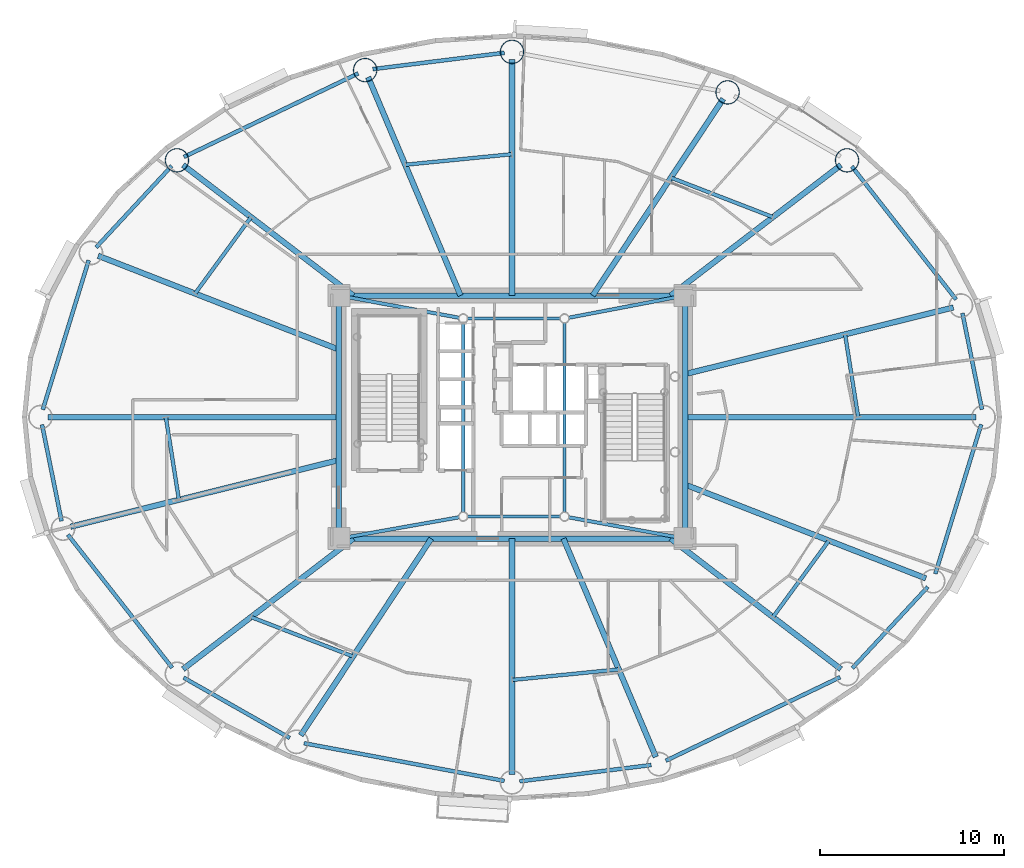
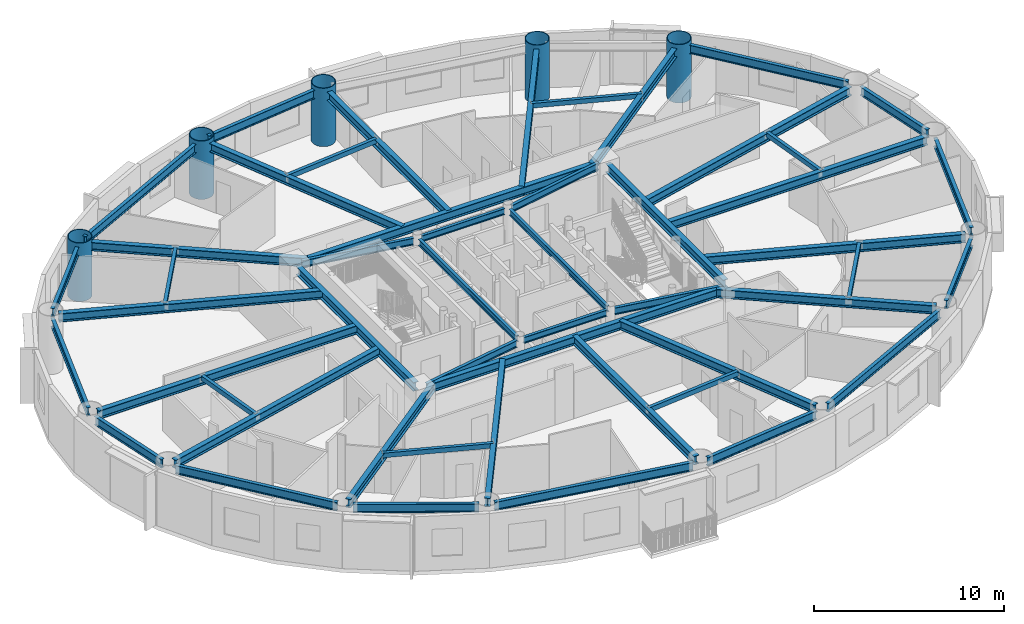
# One storey, part 3 of 19: 50 beams, 5 columns.
"""IFC4 building model written with IfcOpenShell, lengths in metres."""

from ifc_helpers import new_model, si_unit, direction, frame, origin, origin_2d, place, context, subcontext, project, spatial, hollow_rectangle, hollow_circle, i_section, extrude, material, material_profile, profile_set, type_object, element, save


model = new_model("IFC4")

# Units and contexts
model_context = context("Model", 3, precision=1e-05, world=origin(), true_north=direction((0.0, 1.0)))
body_context = subcontext(model_context, "Body", "Model", "MODEL_VIEW")
ifc_project = project(units=[si_unit("LENGTHUNIT", "METRE"), si_unit("AREAUNIT", "SQUARE_METRE"), si_unit("VOLUMEUNIT", "CUBIC_METRE"), si_unit("PLANEANGLEUNIT", "RADIAN"), si_unit("MASSUNIT", "GRAM", prefix="KILO")], contexts=[model_context])

# Site, building, storey
site_placement = place(None, origin())
site = spatial("IfcSite", under=ifc_project, at=site_placement, CompositionType="ELEMENT")
building_placement = place(site_placement, origin())
building = spatial("IfcBuilding", under=site, at=building_placement, Name="Linh Dai School and Residence Tower", CompositionType="ELEMENT")
storey_placement = place(building_placement, frame((0.0, 0.0, 193.64990234375)))
storey = spatial("IfcBuildingStorey", under=building, at=storey_placement, Name="L47", CompositionType="ELEMENT", Elevation=193.64990234375)

# Columns
ifc_material = material(Name="Structural Steel S355JR", Category="steel")
ifc_material_profile_1 = material_profile(ifc_material, hollow_circle(Radius=0.64990234375, WallThickness=0.0400390625, at=origin_2d()), Name="CHS 1300x40")
ifc_profile_set_1 = profile_set([ifc_material_profile_1], Name="Structural Steel S355JR")
column_type = type_object("IfcColumnType", Name="COL-MC4", PredefinedType="COLUMN", material=ifc_profile_set_1)
for number, where, z_axis, x_axis, name in (
    (1, (54.1923828125, 40.941650390625, 0.0), (0.0, 0.0, 1.0), (1.0, 0.0, 0.0), "L47 Perimeter CFT Mega-Column MC03"),
    (2, (47.70556640625, 44.630859375, 0.0), (0.0, 0.0, 1.0), (1.0, 0.0, 0.0), "L47 Perimeter CFT Mega-Column MC04"),
    (3, (36.0, 46.830078125, 0.0), (0.0, 0.0, 1.0), (1.0, 0.0, 0.0), "L47 Perimeter CFT Mega-Column MC05"),
    (4, (28.026611328125, 45.84130859375, 0.0), (0.0, 0.0, 1.0), (1.0, 0.0, 0.0), "L47 Perimeter CFT Mega-Column MC06"),
    (5, (17.8076171875, 40.941650390625, 0.0), (0.0, 0.0, 1.0), (1.0, 0.0, 0.0), "L47 Perimeter CFT Mega-Column MC07"),
):
    element("IfcColumn", number, at=place(storey_placement, frame(where, z_axis=z_axis, x_axis=x_axis)), inside=storey, type_object=column_type, Name=name, PredefinedType="COLUMN", context=body_context, shape_type="SweptSolid", body=[
        extrude(hollow_circle(Radius=0.64990234375, WallThickness=0.0400390625, at=origin_2d()), origin(), (0.0, 0.0, 1.0), 3.75),
    ])

# Beams
ifc_material_profile_2 = material_profile(ifc_material, hollow_rectangle(XDim=0.199951171875, YDim=0.300048828125, WallThickness=0.010009765625, at=origin_2d()), Name="RHS 300x200x10")
ifc_profile_set_2 = profile_set([ifc_material_profile_2], Name="Structural Steel S355JR")
beam_type_1 = type_object("IfcBeamType", Name="BM-BX3", PredefinedType="BEAM", material=ifc_profile_set_2)
beam_1_placement = place(storey_placement, frame((54.795166015625, 27.0048828125, 3.35009765625), z_axis=(-0.15630517468, 0.987708809502, 0.0), x_axis=(-0.987708809502, -0.15630517468, 0.0)))
element("IfcBeam", 6, at=beam_1_placement, inside=storey, type_object=beam_type_1, Name="L47 Secondary Circumferential Floor Beam 01", PredefinedType="BEAM", context=body_context, shape_type="SweptSolid", body=[
    extrude(hollow_rectangle(XDim=0.199951171875, YDim=0.300048828125, WallThickness=0.010009765625, at=origin_2d()), origin(), (0.0, 0.0, 1.0), 4.537353515625),
])
beam_2_placement = place(storey_placement, frame((50.1640625, 37.860107421875, 3.35009765625), z_axis=(-0.932827710026, 0.360322721193, 0.0), x_axis=(-0.360322721193, -0.932827710026, 0.0)))
element("IfcBeam", 7, at=beam_2_placement, inside=storey, type_object=beam_type_1, Name="L47 Secondary Circumferential Floor Beam 02", PredefinedType="BEAM", context=body_context, shape_type="SweptSolid", body=[
    extrude(hollow_rectangle(XDim=0.199951171875, YDim=0.300048828125, WallThickness=0.010009765625, at=origin_2d()), origin(), (0.0, 0.0, 1.0), 5.927978515625),
])
beam_3_placement = place(storey_placement, frame((35.9951171875, 41.27294921875, 3.35009765625), z_axis=(-0.995143022353, -0.098439651878, 0.0), x_axis=(0.098439651878, -0.995143022353, 0.0)))
element("IfcBeam", 8, at=beam_3_placement, inside=storey, type_object=beam_type_1, Name="L47 Secondary Circumferential Floor Beam 03", PredefinedType="BEAM", context=body_context, shape_type="SweptSolid", body=[
    extrude(hollow_rectangle(XDim=0.199951171875, YDim=0.300048828125, WallThickness=0.010009765625, at=origin_2d()), origin(), (0.0, 0.0, 1.0), 5.81591796875),
])
beam_4_placement = place(storey_placement, frame((21.828125, 37.854248046875, 3.35009765625), z_axis=(-0.59077809598, -0.806834085367, 0.0), x_axis=(0.806834085367, -0.59077809598, 0.0)))
element("IfcBeam", 9, at=beam_4_placement, inside=storey, type_object=beam_type_1, Name="L47 Secondary Circumferential Floor Beam 04", PredefinedType="BEAM", context=body_context, shape_type="SweptSolid", body=[
    extrude(hollow_rectangle(XDim=0.199951171875, YDim=0.300048828125, WallThickness=0.010009765625, at=origin_2d()), origin(), (0.0, 0.0, 1.0), 5.134765625),
])
beam_5_placement = place(storey_placement, frame((17.204833984375, 26.9951171875, 3.35009765625), z_axis=(0.15630517468, -0.987708809502, 0.0), x_axis=(0.987708809502, 0.15630517468, 0.0)))
element("IfcBeam", 10, at=beam_5_placement, inside=storey, type_object=beam_type_1, Name="L47 Secondary Circumferential Floor Beam 05", PredefinedType="BEAM", context=body_context, shape_type="SweptSolid", body=[
    extrude(hollow_rectangle(XDim=0.199951171875, YDim=0.300048828125, WallThickness=0.010009765625, at=origin_2d()), origin(), (0.0, 0.0, 1.0), 4.537353515625),
])
beam_6_placement = place(storey_placement, frame((21.8359375, 16.139892578125, 3.35009765625), z_axis=(0.932827710026, -0.360322721193, 0.0), x_axis=(0.360322721193, 0.932827710026, 0.0)))
element("IfcBeam", 11, at=beam_6_placement, inside=storey, type_object=beam_type_1, Name="L47 Secondary Circumferential Floor Beam 06", PredefinedType="BEAM", context=body_context, shape_type="SweptSolid", body=[
    extrude(hollow_rectangle(XDim=0.199951171875, YDim=0.300048828125, WallThickness=0.010009765625, at=origin_2d()), origin(), (0.0, 0.0, 1.0), 5.927978515625),
])
beam_7_placement = place(storey_placement, frame((36.0048828125, 12.72705078125, 3.35009765625), z_axis=(0.995143022353, 0.098439651878, 0.0), x_axis=(-0.098439651878, 0.995143022353, 0.0)))
element("IfcBeam", 12, at=beam_7_placement, inside=storey, type_object=beam_type_1, Name="L47 Secondary Circumferential Floor Beam 07", PredefinedType="BEAM", context=body_context, shape_type="SweptSolid", body=[
    extrude(hollow_rectangle(XDim=0.199951171875, YDim=0.300048828125, WallThickness=0.010009765625, at=origin_2d()), origin(), (0.0, 0.0, 1.0), 5.81591796875),
])
beam_8_placement = place(storey_placement, frame((50.171875, 16.145751953125, 3.35009765625), z_axis=(0.59077809598, 0.806834085367, 0.0), x_axis=(-0.806834085367, 0.59077809598, 0.0)))
element("IfcBeam", 13, at=beam_8_placement, inside=storey, type_object=beam_type_1, Name="L47 Secondary Circumferential Floor Beam 08", PredefinedType="BEAM", context=body_context, shape_type="SweptSolid", body=[
    extrude(hollow_rectangle(XDim=0.199951171875, YDim=0.300048828125, WallThickness=0.010009765625, at=origin_2d()), origin(), (0.0, 0.0, 1.0), 5.134765625),
])
ifc_material_profile_3 = material_profile(ifc_material, i_section(OverallWidth=0.2099609375, OverallDepth=0.550048828125, WebThickness=0.010986328125, FlangeThickness=0.01708984375, FilletRadius=0.02392578125, at=origin_2d()), Name="IPE 550")
ifc_profile_set_3 = profile_set([ifc_material_profile_3], Name="Structural Steel S355JR")
beam_type_2 = type_object("IfcBeamType", Name="BM-RB55", PredefinedType="BEAM", material=ifc_profile_set_3)
beam_9_placement = place(storey_placement, frame((61.5166015625, 27.41162109375, 3.22509765625), z_axis=(-0.198420723955, 0.980116940117, 0.0), x_axis=(-0.980116940117, -0.198420723955, 0.0)))
element("IfcBeam", 14, at=beam_9_placement, inside=storey, type_object=beam_type_2, Name="L47 Perimeter Elliptical Ring Beam 01", PredefinedType="BEAM", context=body_context, shape_type="SweptSolid", body=[
    extrude(i_section(OverallWidth=0.2099609375, OverallDepth=0.550048828125, WebThickness=0.010986328125, FlangeThickness=0.01708984375, FilletRadius=0.02392578125, at=origin_2d()), origin(), (0.0, 0.0, 1.0), 5.33642578125),
])
beam_10_placement = place(storey_placement, frame((60.115478515625, 33.38427734375, 3.22509765625), z_axis=(-0.616852281883, 0.787078942887, 0.0), x_axis=(-0.787078942887, -0.616852281883, 0.0)))
element("IfcBeam", 15, at=beam_10_placement, inside=storey, type_object=beam_type_2, Name="L47 Perimeter Elliptical Ring Beam 02", PredefinedType="BEAM", context=body_context, shape_type="SweptSolid", body=[
    extrude(i_section(OverallWidth=0.2099609375, OverallDepth=0.550048828125, WebThickness=0.010986328125, FlangeThickness=0.01708984375, FilletRadius=0.02392578125, at=origin_2d()), origin(), (0.0, 0.0, 1.0), 9.181884765625),
])
beam_11_placement = place(storey_placement, frame((35.583251953125, 46.7783203125, 3.22509765625), z_axis=(-0.992400597975, -0.123048986741, 0.0), x_axis=(0.123048986741, -0.992400597975, 0.0)))
element("IfcBeam", 16, at=beam_11_placement, inside=storey, type_object=beam_type_2, Name="L47 Perimeter Elliptical Ring Beam 05", PredefinedType="BEAM", context=body_context, shape_type="SweptSolid", body=[
    extrude(i_section(OverallWidth=0.2099609375, OverallDepth=0.550048828125, WebThickness=0.010986328125, FlangeThickness=0.01708984375, FilletRadius=0.02392578125, at=origin_2d()), origin(), (0.0, 0.0, 1.0), 7.1943359375),
])
beam_12_placement = place(storey_placement, frame((27.64794921875, 45.659912109375, 3.22509765625), z_axis=(-0.901708141823, -0.432345263614, 0.0), x_axis=(0.432345263614, -0.901708141823, 0.0)))
element("IfcBeam", 17, at=beam_12_placement, inside=storey, type_object=beam_type_2, Name="L47 Perimeter Elliptical Ring Beam 06", PredefinedType="BEAM", context=body_context, shape_type="SweptSolid", body=[
    extrude(i_section(OverallWidth=0.2099609375, OverallDepth=0.550048828125, WebThickness=0.010986328125, FlangeThickness=0.01708984375, FilletRadius=0.02392578125, at=origin_2d()), origin(), (0.0, 0.0, 1.0), 10.4931640625),
])
beam_13_placement = place(storey_placement, frame((17.521728515625, 40.6337890625, 3.22509765625), z_axis=(-0.680378035197, -0.732861330145, 0.0), x_axis=(0.732861330145, -0.680378035197, 0.0)))
element("IfcBeam", 18, at=beam_13_placement, inside=storey, type_object=beam_type_2, Name="L47 Perimeter Elliptical Ring Beam 07", PredefinedType="BEAM", context=body_context, shape_type="SweptSolid", body=[
    extrude(i_section(OverallWidth=0.2099609375, OverallDepth=0.550048828125, WebThickness=0.010986328125, FlangeThickness=0.01708984375, FilletRadius=0.02392578125, at=origin_2d()), origin(), (0.0, 0.0, 1.0), 6.024169921875),
])
beam_14_placement = place(storey_placement, frame((13.01416015625, 35.509765625, 3.22509765625), z_axis=(-0.29363681283, -0.955917058196, 0.0), x_axis=(0.955917058196, -0.29363681283, 0.0)))
element("IfcBeam", 19, at=beam_14_placement, inside=storey, type_object=beam_type_2, Name="L47 Perimeter Elliptical Ring Beam 08", PredefinedType="BEAM", context=body_context, shape_type="SweptSolid", body=[
    extrude(i_section(OverallWidth=0.2099609375, OverallDepth=0.550048828125, WebThickness=0.010986328125, FlangeThickness=0.01708984375, FilletRadius=0.02392578125, at=origin_2d()), origin(), (0.0, 0.0, 1.0), 8.482421875),
])
beam_15_placement = place(storey_placement, frame((10.4833984375, 26.58837890625, 3.22509765625), z_axis=(0.198420723955, -0.980116940117, 0.0), x_axis=(0.980116940117, 0.198420723955, 0.0)))
element("IfcBeam", 20, at=beam_15_placement, inside=storey, type_object=beam_type_2, Name="L47 Perimeter Elliptical Ring Beam 09", PredefinedType="BEAM", context=body_context, shape_type="SweptSolid", body=[
    extrude(i_section(OverallWidth=0.2099609375, OverallDepth=0.550048828125, WebThickness=0.010986328125, FlangeThickness=0.01708984375, FilletRadius=0.02392578125, at=origin_2d()), origin(), (0.0, 0.0, 1.0), 5.33642578125),
])
beam_16_placement = place(storey_placement, frame((11.884521484375, 20.61572265625, 3.22509765625), z_axis=(0.616852281883, -0.787078942887, 0.0), x_axis=(0.787078942887, 0.616852281883, 0.0)))
element("IfcBeam", 21, at=beam_16_placement, inside=storey, type_object=beam_type_2, Name="L47 Perimeter Elliptical Ring Beam 10", PredefinedType="BEAM", context=body_context, shape_type="SweptSolid", body=[
    extrude(i_section(OverallWidth=0.2099609375, OverallDepth=0.550048828125, WebThickness=0.010986328125, FlangeThickness=0.01708984375, FilletRadius=0.02392578125, at=origin_2d()), origin(), (0.0, 0.0, 1.0), 9.181884765625),
])
beam_17_placement = place(storey_placement, frame((18.172607421875, 12.8505859375, 3.22509765625), z_axis=(0.869262164011, -0.49435138335, 0.0), x_axis=(0.49435138335, 0.869262164011, 0.0)))
element("IfcBeam", 22, at=beam_17_placement, inside=storey, type_object=beam_type_2, Name="L47 Perimeter Elliptical Ring Beam 11", PredefinedType="BEAM", context=body_context, shape_type="SweptSolid", body=[
    extrude(i_section(OverallWidth=0.2099609375, OverallDepth=0.550048828125, WebThickness=0.010986328125, FlangeThickness=0.01708984375, FilletRadius=0.02392578125, at=origin_2d()), origin(), (0.0, 0.0, 1.0), 6.62255859375),
])
beam_18_placement = place(storey_placement, frame((24.707275390625, 9.29150390625, 3.22509765625), z_axis=(0.98280721278, -0.184634727255, 0.0), x_axis=(0.184634727255, 0.98280721278, 0.0)))
element("IfcBeam", 23, at=beam_18_placement, inside=storey, type_object=beam_type_2, Name="L47 Perimeter Elliptical Ring Beam 12", PredefinedType="BEAM", context=body_context, shape_type="SweptSolid", body=[
    extrude(i_section(OverallWidth=0.2099609375, OverallDepth=0.550048828125, WebThickness=0.010986328125, FlangeThickness=0.01708984375, FilletRadius=0.02392578125, at=origin_2d()), origin(), (0.0, 0.0, 1.0), 11.0703125),
])
beam_19_placement = place(storey_placement, frame((36.416748046875, 7.2216796875, 3.22509765625), z_axis=(0.992400597975, 0.123048986741, 0.0), x_axis=(-0.123048986741, 0.992400597975, 0.0)))
element("IfcBeam", 24, at=beam_19_placement, inside=storey, type_object=beam_type_2, Name="L47 Perimeter Elliptical Ring Beam 13", PredefinedType="BEAM", context=body_context, shape_type="SweptSolid", body=[
    extrude(i_section(OverallWidth=0.2099609375, OverallDepth=0.550048828125, WebThickness=0.010986328125, FlangeThickness=0.01708984375, FilletRadius=0.02392578125, at=origin_2d()), origin(), (0.0, 0.0, 1.0), 7.1943359375),
])
beam_20_placement = place(storey_placement, frame((44.35205078125, 8.340087890625, 3.22509765625), z_axis=(0.901708141823, 0.432345263614, 0.0), x_axis=(-0.432345263614, 0.901708141823, 0.0)))
element("IfcBeam", 25, at=beam_20_placement, inside=storey, type_object=beam_type_2, Name="L47 Perimeter Elliptical Ring Beam 14", PredefinedType="BEAM", context=body_context, shape_type="SweptSolid", body=[
    extrude(i_section(OverallWidth=0.2099609375, OverallDepth=0.550048828125, WebThickness=0.010986328125, FlangeThickness=0.01708984375, FilletRadius=0.02392578125, at=origin_2d()), origin(), (0.0, 0.0, 1.0), 10.4931640625),
])
beam_21_placement = place(storey_placement, frame((54.478271484375, 13.3662109375, 3.22509765625), z_axis=(0.680378035197, 0.732861330145, 0.0), x_axis=(-0.732861330145, 0.680378035197, 0.0)))
element("IfcBeam", 26, at=beam_21_placement, inside=storey, type_object=beam_type_2, Name="L47 Perimeter Elliptical Ring Beam 15", PredefinedType="BEAM", context=body_context, shape_type="SweptSolid", body=[
    extrude(i_section(OverallWidth=0.2099609375, OverallDepth=0.550048828125, WebThickness=0.010986328125, FlangeThickness=0.01708984375, FilletRadius=0.02392578125, at=origin_2d()), origin(), (0.0, 0.0, 1.0), 6.024169921875),
])
beam_22_placement = place(storey_placement, frame((58.98583984375, 18.490234375, 3.22509765625), z_axis=(0.29363681283, 0.955917058196, 0.0), x_axis=(-0.955917058196, 0.29363681283, 0.0)))
element("IfcBeam", 27, at=beam_22_placement, inside=storey, type_object=beam_type_2, Name="L47 Perimeter Elliptical Ring Beam 16", PredefinedType="BEAM", context=body_context, shape_type="SweptSolid", body=[
    extrude(i_section(OverallWidth=0.2099609375, OverallDepth=0.550048828125, WebThickness=0.010986328125, FlangeThickness=0.01708984375, FilletRadius=0.02392578125, at=origin_2d()), origin(), (0.0, 0.0, 1.0), 8.482421875),
])
ifc_material_profile_4 = material_profile(ifc_material, i_section(OverallWidth=0.300048828125, OverallDepth=0.550048828125, WebThickness=0.014892578125, FlangeThickness=0.029052734375, FilletRadius=0.027099609375, at=origin_2d()), Name="HEB 550")
ifc_profile_set_4 = profile_set([ifc_material_profile_4], Name="Structural Steel S355JR")
beam_type_3 = type_object("IfcBeamType", Name="BM-RG55", PredefinedType="BEAM", material=ifc_profile_set_4)
beam_23_placement = place(storey_placement, frame((27.02001953125, 20.39990234375, 3.22509765625), z_axis=(1.0, 0.0, 0.0), x_axis=(0.0, 1.0, 0.0)))
element("IfcBeam", 28, at=beam_23_placement, inside=storey, type_object=beam_type_3, Name="L47 Core Perimeter Coupling Girder 1", PredefinedType="BEAM", context=body_context, shape_type="SweptSolid", body=[
    extrude(i_section(OverallWidth=0.300048828125, OverallDepth=0.550048828125, WebThickness=0.014892578125, FlangeThickness=0.029052734375, FilletRadius=0.027099609375, at=origin_2d()), origin(), (0.0, 0.0, 1.0), 17.9599609375),
])
beam_24_placement = place(storey_placement, frame((45.39990234375, 20.820068359375, 3.22509765625), z_axis=(0.0, 1.0, 0.0), x_axis=(-1.0, 0.0, 0.0)))
element("IfcBeam", 29, at=beam_24_placement, inside=storey, type_object=beam_type_3, Name="L47 Core Perimeter Coupling Girder 2", PredefinedType="BEAM", context=body_context, shape_type="SweptSolid", body=[
    extrude(i_section(OverallWidth=0.300048828125, OverallDepth=0.550048828125, WebThickness=0.014892578125, FlangeThickness=0.029052734375, FilletRadius=0.027099609375, at=origin_2d()), origin(), (0.0, 0.0, 1.0), 12.35986328125),
])
beam_25_placement = place(storey_placement, frame((44.97998046875, 33.60009765625, 3.22509765625), z_axis=(-1.0, 0.0, 0.0), x_axis=(0.0, -1.0, 0.0)))
element("IfcBeam", 30, at=beam_25_placement, inside=storey, type_object=beam_type_3, Name="L47 Core Perimeter Coupling Girder 3", PredefinedType="BEAM", context=body_context, shape_type="SweptSolid", body=[
    extrude(i_section(OverallWidth=0.300048828125, OverallDepth=0.550048828125, WebThickness=0.014892578125, FlangeThickness=0.029052734375, FilletRadius=0.027099609375, at=origin_2d()), origin(), (0.0, 0.0, 1.0), 17.9599609375),
])
beam_26_placement = place(storey_placement, frame((26.60009765625, 33.179931640625, 3.22509765625), z_axis=(0.0, -1.0, 0.0), x_axis=(1.0, 0.0, 0.0)))
element("IfcBeam", 31, at=beam_26_placement, inside=storey, type_object=beam_type_3, Name="L47 Core Perimeter Coupling Girder 4", PredefinedType="BEAM", context=body_context, shape_type="SweptSolid", body=[
    extrude(i_section(OverallWidth=0.300048828125, OverallDepth=0.550048828125, WebThickness=0.014892578125, FlangeThickness=0.029052734375, FilletRadius=0.027099609375, at=origin_2d()), origin(), (0.0, 0.0, 1.0), 12.35986328125),
])
beam_27_placement = place(storey_placement, frame((45.39990234375, 27.0, 3.22509765625), z_axis=(1.0, 0.0, 0.0), x_axis=(0.0, 1.0, 0.0)))
element("IfcBeam", 32, at=beam_27_placement, inside=storey, type_object=beam_type_3, Name="L47 Primary Radial Floor Girder 01", PredefinedType="BEAM", context=body_context, shape_type="SweptSolid", body=[
    extrude(i_section(OverallWidth=0.300048828125, OverallDepth=0.550048828125, WebThickness=0.014892578125, FlangeThickness=0.029052734375, FilletRadius=0.027099609375, at=origin_2d()), origin(), (0.0, 0.0, 1.0), 15.780029296875),
])
beam_28_placement = place(storey_placement, frame((45.39990234375, 29.33447265625, 3.22509765625), z_axis=(0.970514508209, 0.24104271272, 0.0), x_axis=(-0.24104271272, 0.970514508209, 0.0)))
element("IfcBeam", 33, at=beam_28_placement, inside=storey, type_object=beam_type_3, Name="L47 Primary Radial Floor Girder 02", PredefinedType="BEAM", context=body_context, shape_type="SweptSolid", body=[
    extrude(i_section(OverallWidth=0.300048828125, OverallDepth=0.550048828125, WebThickness=0.014892578125, FlangeThickness=0.029052734375, FilletRadius=0.027099609375, at=origin_2d()), origin(), (0.0, 0.0, 1.0), 15.009521484375),
])
beam_29_placement = place(storey_placement, frame((44.6123046875, 33.60009765625, 3.22509765625), z_axis=(0.793732831925, 0.608266546445, 0.0), x_axis=(-0.608266546445, 0.793732831925, 0.0)))
element("IfcBeam", 34, at=beam_29_placement, inside=storey, type_object=beam_type_3, Name="L47 Primary Radial Floor Girder 03", PredefinedType="BEAM", context=body_context, shape_type="SweptSolid", body=[
    extrude(i_section(OverallWidth=0.300048828125, OverallDepth=0.550048828125, WebThickness=0.014892578125, FlangeThickness=0.029052734375, FilletRadius=0.027099609375, at=origin_2d()), origin(), (0.0, 0.0, 1.0), 11.64990234375),
])
beam_30_placement = place(storey_placement, frame((40.3818359375, 33.60009765625, 3.22509765625), z_axis=(0.553117176317, 0.833103468522, 0.0), x_axis=(-0.833103468522, 0.553117176317, 0.0)))
element("IfcBeam", 35, at=beam_30_placement, inside=storey, type_object=beam_type_3, Name="L47 Primary Radial Floor Girder 04", PredefinedType="BEAM", context=body_context, shape_type="SweptSolid", body=[
    extrude(i_section(OverallWidth=0.300048828125, OverallDepth=0.550048828125, WebThickness=0.014892578125, FlangeThickness=0.029052734375, FilletRadius=0.027099609375, at=origin_2d()), origin(), (0.0, 0.0, 1.0), 12.820556640625),
])
beam_31_placement = place(storey_placement, frame((36.0, 33.60009765625, 3.22509765625), z_axis=(0.0, 1.0, 0.0), x_axis=(-1.0, 0.0, 0.0)))
element("IfcBeam", 36, at=beam_31_placement, inside=storey, type_object=beam_type_3, Name="L47 Primary Radial Floor Girder 05", PredefinedType="BEAM", context=body_context, shape_type="SweptSolid", body=[
    extrude(i_section(OverallWidth=0.300048828125, OverallDepth=0.550048828125, WebThickness=0.014892578125, FlangeThickness=0.029052734375, FilletRadius=0.027099609375, at=origin_2d()), origin(), (0.0, 0.0, 1.0), 12.809814453125),
])
beam_32_placement = place(storey_placement, frame((33.20703125, 33.60009765625, 3.22509765625), z_axis=(-0.389721661447, 0.920932693849, 0.0), x_axis=(-0.920932693849, -0.389721661447, 0.0)))
element("IfcBeam", 37, at=beam_32_placement, inside=storey, type_object=beam_type_3, Name="L47 Primary Radial Floor Girder 06", PredefinedType="BEAM", context=body_context, shape_type="SweptSolid", body=[
    extrude(i_section(OverallWidth=0.300048828125, OverallDepth=0.550048828125, WebThickness=0.014892578125, FlangeThickness=0.029052734375, FilletRadius=0.027099609375, at=origin_2d()), origin(), (0.0, 0.0, 1.0), 12.872314453125),
])
beam_33_placement = place(storey_placement, frame((27.3876953125, 33.60009765625, 3.22509765625), z_axis=(-0.793732831925, 0.608266546445, 0.0), x_axis=(-0.608266546445, -0.793732831925, 0.0)))
element("IfcBeam", 38, at=beam_33_placement, inside=storey, type_object=beam_type_3, Name="L47 Primary Radial Floor Girder 07", PredefinedType="BEAM", context=body_context, shape_type="SweptSolid", body=[
    extrude(i_section(OverallWidth=0.300048828125, OverallDepth=0.550048828125, WebThickness=0.014892578125, FlangeThickness=0.029052734375, FilletRadius=0.027099609375, at=origin_2d()), origin(), (0.0, 0.0, 1.0), 11.64990234375),
])
beam_34_placement = place(storey_placement, frame((26.60009765625, 30.663818359375, 3.22509765625), z_axis=(-0.931722873254, 0.363170053081, 0.0), x_axis=(-0.363170053081, -0.931722873254, 0.0)))
element("IfcBeam", 39, at=beam_34_placement, inside=storey, type_object=beam_type_3, Name="L47 Primary Radial Floor Girder 08", PredefinedType="BEAM", context=body_context, shape_type="SweptSolid", body=[
    extrude(i_section(OverallWidth=0.300048828125, OverallDepth=0.550048828125, WebThickness=0.014892578125, FlangeThickness=0.029052734375, FilletRadius=0.027099609375, at=origin_2d()), origin(), (0.0, 0.0, 1.0), 14.029052734375),
])
beam_35_placement = place(storey_placement, frame((26.60009765625, 27.0, 3.22509765625), z_axis=(-1.0, 0.0, 0.0), x_axis=(0.0, -1.0, 0.0)))
element("IfcBeam", 40, at=beam_35_placement, inside=storey, type_object=beam_type_3, Name="L47 Primary Radial Floor Girder 09", PredefinedType="BEAM", context=body_context, shape_type="SweptSolid", body=[
    extrude(i_section(OverallWidth=0.300048828125, OverallDepth=0.550048828125, WebThickness=0.014892578125, FlangeThickness=0.029052734375, FilletRadius=0.027099609375, at=origin_2d()), origin(), (0.0, 0.0, 1.0), 15.780029296875),
])
beam_36_placement = place(storey_placement, frame((26.60009765625, 24.66552734375, 3.22509765625), z_axis=(-0.970514508209, -0.24104271272, 0.0), x_axis=(0.24104271272, -0.970514508209, 0.0)))
element("IfcBeam", 41, at=beam_36_placement, inside=storey, type_object=beam_type_3, Name="L47 Primary Radial Floor Girder 10", PredefinedType="BEAM", context=body_context, shape_type="SweptSolid", body=[
    extrude(i_section(OverallWidth=0.300048828125, OverallDepth=0.550048828125, WebThickness=0.014892578125, FlangeThickness=0.029052734375, FilletRadius=0.027099609375, at=origin_2d()), origin(), (0.0, 0.0, 1.0), 15.009521484375),
])
beam_37_placement = place(storey_placement, frame((27.3876953125, 20.39990234375, 3.22509765625), z_axis=(-0.793732831925, -0.608266546445, 0.0), x_axis=(0.608266546445, -0.793732831925, 0.0)))
element("IfcBeam", 42, at=beam_37_placement, inside=storey, type_object=beam_type_3, Name="L47 Primary Radial Floor Girder 11", PredefinedType="BEAM", context=body_context, shape_type="SweptSolid", body=[
    extrude(i_section(OverallWidth=0.300048828125, OverallDepth=0.550048828125, WebThickness=0.014892578125, FlangeThickness=0.029052734375, FilletRadius=0.027099609375, at=origin_2d()), origin(), (0.0, 0.0, 1.0), 11.64990234375),
])
beam_38_placement = place(storey_placement, frame((31.6181640625, 20.39990234375, 3.22509765625), z_axis=(-0.553117176317, -0.833103468522, 0.0), x_axis=(0.833103468522, -0.553117176317, 0.0)))
element("IfcBeam", 43, at=beam_38_placement, inside=storey, type_object=beam_type_3, Name="L47 Primary Radial Floor Girder 12", PredefinedType="BEAM", context=body_context, shape_type="SweptSolid", body=[
    extrude(i_section(OverallWidth=0.300048828125, OverallDepth=0.550048828125, WebThickness=0.014892578125, FlangeThickness=0.029052734375, FilletRadius=0.027099609375, at=origin_2d()), origin(), (0.0, 0.0, 1.0), 12.820556640625),
])
beam_39_placement = place(storey_placement, frame((36.0, 20.39990234375, 3.22509765625), z_axis=(0.0, -1.0, 0.0), x_axis=(1.0, 0.0, 0.0)))
element("IfcBeam", 44, at=beam_39_placement, inside=storey, type_object=beam_type_3, Name="L47 Primary Radial Floor Girder 13", PredefinedType="BEAM", context=body_context, shape_type="SweptSolid", body=[
    extrude(i_section(OverallWidth=0.300048828125, OverallDepth=0.550048828125, WebThickness=0.014892578125, FlangeThickness=0.029052734375, FilletRadius=0.027099609375, at=origin_2d()), origin(), (0.0, 0.0, 1.0), 12.809814453125),
])
beam_40_placement = place(storey_placement, frame((38.79296875, 20.39990234375, 3.22509765625), z_axis=(0.389721661447, -0.920932693849, 0.0), x_axis=(0.920932693849, 0.389721661447, 0.0)))
element("IfcBeam", 45, at=beam_40_placement, inside=storey, type_object=beam_type_3, Name="L47 Primary Radial Floor Girder 14", PredefinedType="BEAM", context=body_context, shape_type="SweptSolid", body=[
    extrude(i_section(OverallWidth=0.300048828125, OverallDepth=0.550048828125, WebThickness=0.014892578125, FlangeThickness=0.029052734375, FilletRadius=0.027099609375, at=origin_2d()), origin(), (0.0, 0.0, 1.0), 12.872314453125),
])
beam_41_placement = place(storey_placement, frame((44.6123046875, 20.39990234375, 3.22509765625), z_axis=(0.793732831925, -0.608266546445, 0.0), x_axis=(0.608266546445, 0.793732831925, 0.0)))
element("IfcBeam", 46, at=beam_41_placement, inside=storey, type_object=beam_type_3, Name="L47 Primary Radial Floor Girder 15", PredefinedType="BEAM", context=body_context, shape_type="SweptSolid", body=[
    extrude(i_section(OverallWidth=0.300048828125, OverallDepth=0.550048828125, WebThickness=0.014892578125, FlangeThickness=0.029052734375, FilletRadius=0.027099609375, at=origin_2d()), origin(), (0.0, 0.0, 1.0), 11.64990234375),
])
beam_42_placement = place(storey_placement, frame((45.39990234375, 23.336181640625, 3.22509765625), z_axis=(0.931722873254, -0.363170053081, 0.0), x_axis=(0.363170053081, 0.931722873254, 0.0)))
element("IfcBeam", 47, at=beam_42_placement, inside=storey, type_object=beam_type_3, Name="L47 Primary Radial Floor Girder 16", PredefinedType="BEAM", context=body_context, shape_type="SweptSolid", body=[
    extrude(i_section(OverallWidth=0.300048828125, OverallDepth=0.550048828125, WebThickness=0.014892578125, FlangeThickness=0.029052734375, FilletRadius=0.027099609375, at=origin_2d()), origin(), (0.0, 0.0, 1.0), 14.029052734375),
])
ifc_material_profile_5 = material_profile(ifc_material, i_section(OverallWidth=0.179931640625, OverallDepth=0.39990234375, WebThickness=0.008544921875, FlangeThickness=0.013427734375, FilletRadius=0.02099609375, at=origin_2d()), Name="IPE 400")
ifc_profile_set_5 = profile_set([ifc_material_profile_5], Name="Structural Steel S355JR")
beam_type_4 = type_object("IfcBeamType", Name="BM-SB40", PredefinedType="BEAM", material=ifc_profile_set_5)
beam_43_placement = place(storey_placement, frame((33.573974609375, 21.60009765625, 3.300048828125), z_axis=(1.0, 0.0, 0.0), x_axis=(0.0, 1.0, 0.0)))
element("IfcBeam", 48, at=beam_43_placement, inside=storey, type_object=beam_type_4, Name="L47 Core Mast Pier Tie Beam 1", PredefinedType="BEAM", context=body_context, shape_type="SweptSolid", body=[
    extrude(i_section(OverallWidth=0.179931640625, OverallDepth=0.39990234375, WebThickness=0.008544921875, FlangeThickness=0.013427734375, FilletRadius=0.02099609375, at=origin_2d()), origin(), (0.0, 0.0, 1.0), 5.052001953125),
])
beam_44_placement = place(storey_placement, frame((38.85009765625, 21.823974609375, 3.300048828125), z_axis=(0.0, 1.0, 0.0), x_axis=(-1.0, 0.0, 0.0)))
element("IfcBeam", 49, at=beam_44_placement, inside=storey, type_object=beam_type_4, Name="L47 Core Mast Pier Tie Beam 2", PredefinedType="BEAM", context=body_context, shape_type="SweptSolid", body=[
    extrude(i_section(OverallWidth=0.179931640625, OverallDepth=0.39990234375, WebThickness=0.008544921875, FlangeThickness=0.013427734375, FilletRadius=0.02099609375, at=origin_2d()), origin(), (0.0, 0.0, 1.0), 10.302001953125),
])
beam_45_placement = place(storey_placement, frame((38.6259765625, 32.35009765625, 3.300048828125), z_axis=(-1.0, 0.0, 0.0), x_axis=(0.0, -1.0, 0.0)))
element("IfcBeam", 50, at=beam_45_placement, inside=storey, type_object=beam_type_4, Name="L47 Core Mast Pier Tie Beam 3", PredefinedType="BEAM", context=body_context, shape_type="SweptSolid", body=[
    extrude(i_section(OverallWidth=0.179931640625, OverallDepth=0.39990234375, WebThickness=0.008544921875, FlangeThickness=0.013427734375, FilletRadius=0.02099609375, at=origin_2d()), origin(), (0.0, 0.0, 1.0), 5.052001953125),
])
beam_46_placement = place(storey_placement, frame((33.35009765625, 32.1259765625, 3.300048828125), z_axis=(0.0, -1.0, 0.0), x_axis=(1.0, 0.0, 0.0)))
element("IfcBeam", 51, at=beam_46_placement, inside=storey, type_object=beam_type_4, Name="L47 Core Mast Pier Tie Beam 4", PredefinedType="BEAM", context=body_context, shape_type="SweptSolid", body=[
    extrude(i_section(OverallWidth=0.179931640625, OverallDepth=0.39990234375, WebThickness=0.008544921875, FlangeThickness=0.013427734375, FilletRadius=0.02099609375, at=origin_2d()), origin(), (0.0, 0.0, 1.0), 10.302001953125),
])
ifc_material_profile_6 = material_profile(ifc_material, i_section(OverallWidth=0.18994140625, OverallDepth=0.449951171875, WebThickness=0.009521484375, FlangeThickness=0.0146484375, FilletRadius=0.02099609375, at=origin_2d()), Name="IPE 450")
ifc_profile_set_6 = profile_set([ifc_material_profile_6], Name="Structural Steel S355JR")
beam_type_5 = type_object("IfcBeamType", Name="BM-SB45", PredefinedType="BEAM", material=ifc_profile_set_6)
beam_47_placement = place(storey_placement, frame((27.013427734375, 20.4736328125, 3.275146484375), z_axis=(0.984565969371, 0.175013862185, 0.0), x_axis=(-0.175013862185, 0.984565969371, 0.0)))
element("IfcBeam", 52, at=beam_47_placement, inside=storey, type_object=beam_type_5, Name="L47 Core Corner-to-Mast Pier Beam 1", PredefinedType="BEAM", context=body_context, shape_type="SweptSolid", body=[
    extrude(i_section(OverallWidth=0.18994140625, OverallDepth=0.449951171875, WebThickness=0.009521484375, FlangeThickness=0.0146484375, FilletRadius=0.02099609375, at=origin_2d()), origin(), (0.0, 0.0, 1.0), 6.2119140625),
])
beam_48_placement = place(storey_placement, frame((44.98681640625, 20.4755859375, 3.275146484375), z_axis=(-0.983627428732, 0.180213987933, 0.0), x_axis=(-0.180213987933, -0.983627428732, 0.0)))
element("IfcBeam", 53, at=beam_48_placement, inside=storey, type_object=beam_type_5, Name="L47 Core Corner-to-Mast Pier Beam 2", PredefinedType="BEAM", context=body_context, shape_type="SweptSolid", body=[
    extrude(i_section(OverallWidth=0.18994140625, OverallDepth=0.449951171875, WebThickness=0.009521484375, FlangeThickness=0.0146484375, FilletRadius=0.02099609375, at=origin_2d()), origin(), (0.0, 0.0, 1.0), 6.014892578125),
])
beam_49_placement = place(storey_placement, frame((44.987548828125, 33.521240234375, 3.275146484375), z_axis=(-0.982277147686, -0.187434268836, 0.0), x_axis=(0.187434268836, -0.982277147686, 0.0)))
element("IfcBeam", 54, at=beam_49_placement, inside=storey, type_object=beam_type_5, Name="L47 Core Corner-to-Mast Pier Beam 3", PredefinedType="BEAM", context=body_context, shape_type="SweptSolid", body=[
    extrude(i_section(OverallWidth=0.18994140625, OverallDepth=0.449951171875, WebThickness=0.009521484375, FlangeThickness=0.0146484375, FilletRadius=0.02099609375, at=origin_2d()), origin(), (0.0, 0.0, 1.0), 6.024169921875),
])
beam_50_placement = place(storey_placement, frame((27.012939453125, 33.5234375, 3.275146484375), z_axis=(0.983286429055, -0.182065368579, 0.0), x_axis=(0.182065368579, 0.983286429055, 0.0)))
element("IfcBeam", 55, at=beam_50_placement, inside=storey, type_object=beam_type_5, Name="L47 Core Corner-to-Mast Pier Beam 4", PredefinedType="BEAM", context=body_context, shape_type="SweptSolid", body=[
    extrude(i_section(OverallWidth=0.18994140625, OverallDepth=0.449951171875, WebThickness=0.009521484375, FlangeThickness=0.0146484375, FilletRadius=0.02099609375, at=origin_2d()), origin(), (0.0, 0.0, 1.0), 6.220703125),
])

save(model, "model.ifc")
